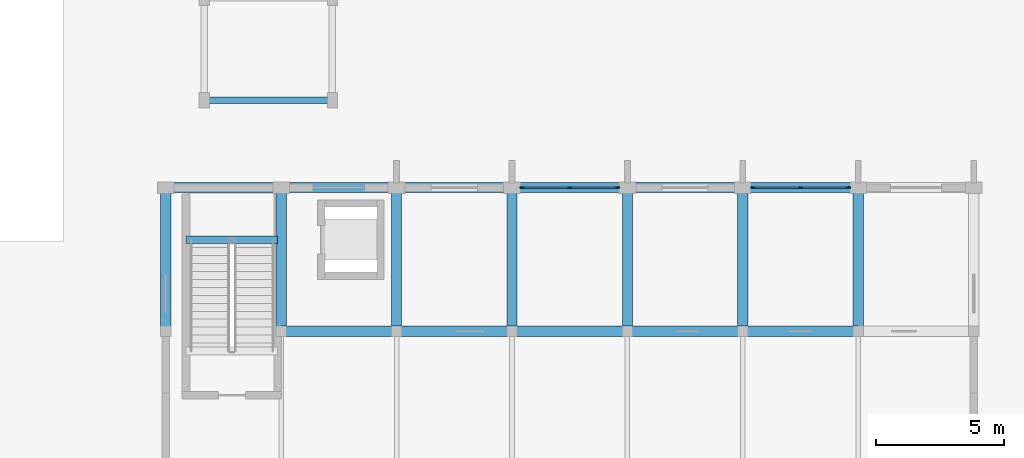
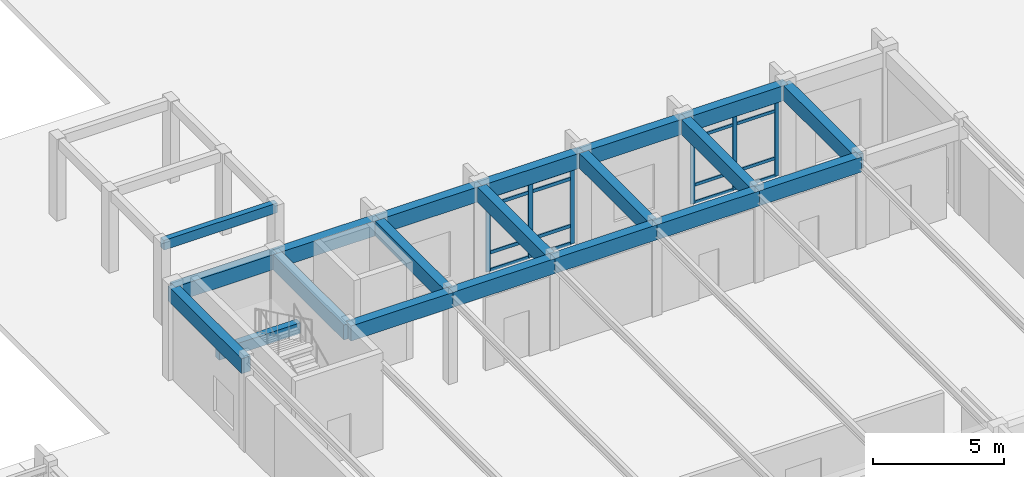
# One storey, part 14 of 61: 22 members, 20 beams, 2 elements without a shape of their own.
"""IFC4 building model written with IfcOpenShell, lengths in metres."""

from ifc_helpers import new_model, si_unit, direction, frame, origin, origin_2d, place, context, subcontext, project, spatial, rectangle, extrude, material, material_profile, profile_set, type_object, element, aggregate, save


model = new_model("IFC4")

# Units and contexts
model_context = context("Model", 3, precision=1e-05, world=origin(), true_north=direction((0.0, 1.0)))
body_context = subcontext(model_context, "Body", "Model", "MODEL_VIEW")
ifc_project = project(units=[si_unit("LENGTHUNIT", "METRE"), si_unit("AREAUNIT", "SQUARE_METRE"), si_unit("VOLUMEUNIT", "CUBIC_METRE"), si_unit("PLANEANGLEUNIT", "RADIAN"), si_unit("MASSUNIT", "GRAM", prefix="KILO")], contexts=[model_context])

# Site, building, storey
site_placement = place(None, origin())
site = spatial("IfcSite", under=ifc_project, at=site_placement, CompositionType="ELEMENT")
building_placement = place(site_placement, origin())
building = spatial("IfcBuilding", under=site, at=building_placement, Name="Zimvara Arc Housing Community", CompositionType="ELEMENT")
storey_placement = place(building_placement, origin())
storey = spatial("IfcBuildingStorey", under=building, at=storey_placement, Name="L00", CompositionType="ELEMENT", Elevation=0.0)

# Beams
ifc_material_1 = material(Name="Concrete C40/50", Category="concrete")
ifc_material_profile_1 = material_profile(ifc_material_1, rectangle(XDim=0.300048828125, YDim=0.5, at=origin_2d()), Name="RC 300x500")
ifc_profile_set_1 = profile_set([ifc_material_profile_1], Name="Concrete C40/50")
beam_type_1 = type_object("IfcBeamType", Name="BM-RC-300x500", PredefinedType="BEAM", material=ifc_profile_set_1)
beam_1_placement = place(storey_placement, frame((72.364990234375, 25.570068359375, 2.0), z_axis=(-1.0, 0.0, 0.0), x_axis=(0.0, -1.0, 0.0)))
element("IfcBeam", 1, at=beam_1_placement, inside=storey, type_object=beam_type_1, Name="bm:stair_trim:ST-H1:L00:mid", PredefinedType="BEAM", context=body_context, shape_type="SweptSolid", body=[
    extrude(rectangle(XDim=0.300048828125, YDim=0.5, at=origin_2d()), origin(), (0.0, 0.0, 1.0), 3.570068359375),
])
ifc_material_2 = material(Name="Concrete C40/50", Category="concrete")
ifc_material_profile_2 = material_profile(ifc_material_2, rectangle(XDim=0.39990234375, YDim=0.699951171875, at=origin_2d()), Name="RC 400x700")
ifc_profile_set_2 = profile_set([ifc_material_profile_2], Name="Concrete C40/50")
beam_type_2 = type_object("IfcBeamType", Name="BM-RC-400x700", PredefinedType="BEAM", material=ifc_profile_set_2)
for number, where, z_axis, x_axis, name in (
    (2, (68.0, 27.60009765625, 3.889892578125), (1.0, 0.0, 0.0), (0.0, 1.0, 0.0), "bm:hall:L00:long:y2:b0"),
    (3, (72.5, 22.0, 3.889892578125), (1.0, 0.0, 0.0), (0.0, 1.0, 0.0), "bm:hall:L00:long:y1:b1"),
    (4, (72.5, 27.60009765625, 3.889892578125), (1.0, 0.0, 0.0), (0.0, 1.0, 0.0), "bm:hall:L00:long:y2:b1"),
    (5, (77.0, 22.0, 3.889892578125), (1.0, 0.0, 0.0), (0.0, 1.0, 0.0), "bm:hall:L00:long:y1:b2"),
    (6, (77.0, 27.60009765625, 3.889892578125), (1.0, 0.0, 0.0), (0.0, 1.0, 0.0), "bm:hall:L00:long:y2:b2"),
    (7, (81.5, 22.0, 3.889892578125), (1.0, 0.0, 0.0), (0.0, 1.0, 0.0), "bm:hall:L00:long:y1:b3"),
    (8, (81.5, 27.60009765625, 3.889892578125), (1.0, 0.0, 0.0), (0.0, 1.0, 0.0), "bm:hall:L00:long:y2:b3"),
    (9, (86.0, 22.0, 3.889892578125), (1.0, 0.0, 0.0), (0.0, 1.0, 0.0), "bm:hall:L00:long:y1:b4"),
    (10, (86.0, 27.60009765625, 3.889892578125), (1.0, 0.0, 0.0), (0.0, 1.0, 0.0), "bm:hall:L00:long:y2:b4"),
    (11, (90.5, 22.0, 3.889892578125), (1.0, 0.0, 0.0), (0.0, 1.0, 0.0), "bm:hall:L00:long:y1:b5"),
    (12, (90.5, 27.60009765625, 3.889892578125), (1.0, 0.0, 0.0), (0.0, 1.0, 0.0), "bm:hall:L00:long:y2:b5"),
):
    element("IfcBeam", number, at=place(storey_placement, frame(where, z_axis=z_axis, x_axis=x_axis)), inside=storey, type_object=beam_type_2, Name=name, PredefinedType="BEAM", context=body_context, shape_type="SweptSolid", body=[
        extrude(rectangle(XDim=0.39990234375, YDim=0.699951171875, at=origin_2d()), origin(), (0.0, 0.0, 1.0), 4.5),
    ])
for number, where, z_axis, x_axis, name in (
    (13, (68.0, 22.0, 3.889892578125), (0.0, 1.0, 0.0), (-1.0, 0.0, 0.0), "bm:hall:L00:trans2:x0"),
    (14, (72.5, 22.0, 3.889892578125), (0.0, 1.0, 0.0), (-1.0, 0.0, 0.0), "bm:hall:L00:trans2:x1"),
    (15, (77.0, 22.0, 3.889892578125), (0.0, 1.0, 0.0), (-1.0, 0.0, 0.0), "bm:hall:L00:trans2:x2"),
    (16, (81.5, 22.0, 3.889892578125), (0.0, 1.0, 0.0), (-1.0, 0.0, 0.0), "bm:hall:L00:trans2:x3"),
    (17, (86.0, 22.0, 3.889892578125), (0.0, 1.0, 0.0), (-1.0, 0.0, 0.0), "bm:hall:L00:trans2:x4"),
    (18, (90.5, 22.0, 3.889892578125), (0.0, 1.0, 0.0), (-1.0, 0.0, 0.0), "bm:hall:L00:trans2:x5"),
    (19, (95.0, 22.0, 3.889892578125), (0.0, 1.0, 0.0), (-1.0, 0.0, 0.0), "bm:hall:L00:trans2:x6"),
):
    element("IfcBeam", number, at=place(storey_placement, frame(where, z_axis=z_axis, x_axis=x_axis)), inside=storey, type_object=beam_type_2, Name=name, PredefinedType="BEAM", context=body_context, shape_type="SweptSolid", body=[
        extrude(rectangle(XDim=0.39990234375, YDim=0.699951171875, at=origin_2d()), origin(), (0.0, 0.0, 1.0), 5.60009765625),
    ])
ifc_material_3 = material(Name="Concrete C40/50", Category="concrete")
ifc_material_profile_3 = material_profile(ifc_material_3, rectangle(XDim=0.25, YDim=0.449951171875, at=origin_2d()), Name="RC 250x450")
ifc_profile_set_3 = profile_set([ifc_material_profile_3], Name="Concrete C40/50")
beam_type_3 = type_object("IfcBeamType", Name="BM-RC-LIN-250x450", PredefinedType="LINTEL", material=ifc_profile_set_3)
beam_2_placement = place(storey_placement, frame((69.5, 31.0, 3.550048828125), z_axis=(1.0, 0.0, 0.0), x_axis=(0.0, 1.0, 0.0)))
element("IfcBeam", 20, at=beam_2_placement, inside=storey, type_object=beam_type_3, Name="bm:lintel:L00:1", PredefinedType="LINTEL", context=body_context, shape_type="SweptSolid", body=[
    extrude(rectangle(XDim=0.25, YDim=0.449951171875, at=origin_2d()), origin(), (0.0, 0.0, 1.0), 5.0),
])

# Curtain wall, members
ifc_material_4 = material(Name="Anodised Aluminium AW-6063", Category="aluminium")
curtain_wall_type_1 = type_object("IfcCurtainWallType", Name="CW-SYS-02", PredefinedType="USERDEFINED", material=ifc_material_4)
curtain_wall_1_placement = place(storey_placement, origin())
curtain_wall_1 = element("IfcCurtainWall", 21, at=curtain_wall_1_placement, inside=storey, type_object=curtain_wall_type_1, Name="cw:hall:L00:north:b5", ObjectType="CURTAIN WALL", PredefinedType="USERDEFINED")
ifc_material_5 = material(Name="Anodised Aluminium AW-6063", Category="aluminium")
ifc_material_profile_4 = material_profile(ifc_material_5, rectangle(XDim=0.06494140625, YDim=0.179931640625, at=origin_2d()), Name="ALU 65x180")
ifc_profile_set_4 = profile_set([ifc_material_profile_4], Name="Anodised Aluminium AW-6063")
member_type_1 = type_object("IfcMemberType", Name="CWM-65x150", PredefinedType="MULLION", material=ifc_profile_set_4)
member_1_placement = place(storey_placement, frame((90.892578125, 27.60009765625, 0.0), z_axis=(0.0, 0.0, 1.0), x_axis=(0.0, 1.0, 0.0)))
member_1 = element("IfcMember", 22, at=member_1_placement, type_object=member_type_1, Name="CW02 mullion 1", PredefinedType="MULLION", context=body_context, shape_type="SweptSolid", body=[
    extrude(rectangle(XDim=0.06494140625, YDim=0.179931640625, at=origin_2d()), origin(), (0.0, 0.0, 1.0), 3.5),
])
member_2_placement = place(storey_placement, frame((92.75, 27.60009765625, 0.0), z_axis=(0.0, 0.0, 1.0), x_axis=(0.0, 1.0, 0.0)))
member_2 = element("IfcMember", 23, at=member_2_placement, type_object=member_type_1, Name="CW02 mullion 2", PredefinedType="MULLION", context=body_context, shape_type="SweptSolid", body=[
    extrude(rectangle(XDim=0.06494140625, YDim=0.179931640625, at=origin_2d()), origin(), (0.0, 0.0, 1.0), 3.5),
])
member_3_placement = place(storey_placement, frame((94.607421875, 27.60009765625, 0.0), z_axis=(0.0, 0.0, 1.0), x_axis=(0.0, 1.0, 0.0)))
member_3 = element("IfcMember", 24, at=member_3_placement, type_object=member_type_1, Name="CW02 mullion 3", PredefinedType="MULLION", context=body_context, shape_type="SweptSolid", body=[
    extrude(rectangle(XDim=0.06494140625, YDim=0.179931640625, at=origin_2d()), origin(), (0.0, 0.0, 1.0), 3.5),
])

ifc_material_6 = material(Name="Anodised Aluminium AW-6063", Category="aluminium")
curtain_wall_type_2 = type_object("IfcCurtainWallType", Name="CW-SYS-01", PredefinedType="USERDEFINED", material=ifc_material_6)
curtain_wall_2_placement = place(storey_placement, origin())
curtain_wall_2 = element("IfcCurtainWall", 25, at=curtain_wall_2_placement, inside=storey, type_object=curtain_wall_type_2, Name="cw:hall:L00:north:b3", ObjectType="CURTAIN WALL", PredefinedType="USERDEFINED")
ifc_material_7 = material(Name="Anodised Aluminium AW-6063", Category="aluminium")
ifc_material_profile_5 = material_profile(ifc_material_7, rectangle(XDim=0.06494140625, YDim=0.195068359375, at=origin_2d()), Name="ALU 65x195")
ifc_profile_set_5 = profile_set([ifc_material_profile_5], Name="Anodised Aluminium AW-6063")
member_type_2 = type_object("IfcMemberType", Name="CWM-65x180", PredefinedType="MULLION", material=ifc_profile_set_5)
member_4_placement = place(storey_placement, frame((81.892578125, 27.60009765625, 0.0), z_axis=(0.0, 0.0, 1.0), x_axis=(0.0, 1.0, 0.0)))
member_4 = element("IfcMember", 26, at=member_4_placement, type_object=member_type_2, Name="CW01 mullion 1", PredefinedType="MULLION", context=body_context, shape_type="SweptSolid", body=[
    extrude(rectangle(XDim=0.06494140625, YDim=0.195068359375, at=origin_2d()), origin(), (0.0, 0.0, 1.0), 3.5),
])
member_5_placement = place(storey_placement, frame((83.75, 27.60009765625, 0.0), z_axis=(0.0, 0.0, 1.0), x_axis=(0.0, 1.0, 0.0)))
member_5 = element("IfcMember", 27, at=member_5_placement, type_object=member_type_2, Name="CW01 mullion 2", PredefinedType="MULLION", context=body_context, shape_type="SweptSolid", body=[
    extrude(rectangle(XDim=0.06494140625, YDim=0.195068359375, at=origin_2d()), origin(), (0.0, 0.0, 1.0), 3.5),
])
member_6_placement = place(storey_placement, frame((85.607421875, 27.60009765625, 0.0), z_axis=(0.0, 0.0, 1.0), x_axis=(0.0, 1.0, 0.0)))
member_6 = element("IfcMember", 28, at=member_6_placement, type_object=member_type_2, Name="CW01 mullion 3", PredefinedType="MULLION", context=body_context, shape_type="SweptSolid", body=[
    extrude(rectangle(XDim=0.06494140625, YDim=0.195068359375, at=origin_2d()), origin(), (0.0, 0.0, 1.0), 3.5),
])

# Member
ifc_material_8 = material(Name="Anodised Aluminium AW-6063", Category="aluminium")
ifc_material_profile_6 = material_profile(ifc_material_8, rectangle(XDim=0.06494140625, YDim=0.139892578125, at=origin_2d()), Name="ALU 65x140")
ifc_profile_set_6 = profile_set([ifc_material_profile_6], Name="Anodised Aluminium AW-6063")
member_type_3 = type_object("IfcMemberType", Name="CWT-65x120", PredefinedType="USERDEFINED", material=ifc_profile_set_6)
member_7_placement = place(storey_placement, frame((90.925048828125, 27.60009765625, 0.032470703125), z_axis=(1.0, 0.0, 0.0), x_axis=(0.0, 1.0, 0.0)))
member_7 = element("IfcMember", 29, at=member_7_placement, type_object=member_type_3, Name="CW02 transom 1.1", ObjectType="TRANSOM", PredefinedType="USERDEFINED", context=body_context, shape_type="SweptSolid", body=[
    extrude(rectangle(XDim=0.06494140625, YDim=0.139892578125, at=origin_2d()), origin(), (0.0, 0.0, 1.0), 1.79248046875),
])

member_8_placement = place(storey_placement, frame((90.925048828125, 27.60009765625, 0.85009765625), z_axis=(1.0, 0.0, 0.0), x_axis=(0.0, 1.0, 0.0)))
member_8 = element("IfcMember", 30, at=member_8_placement, type_object=member_type_3, Name="CW02 transom 1.2", ObjectType="TRANSOM", PredefinedType="USERDEFINED", context=body_context, shape_type="SweptSolid", body=[
    extrude(rectangle(XDim=0.06494140625, YDim=0.139892578125, at=origin_2d()), origin(), (0.0, 0.0, 1.0), 1.79248046875),
])

member_9_placement = place(storey_placement, frame((90.925048828125, 27.60009765625, 3.050048828125), z_axis=(1.0, 0.0, 0.0), x_axis=(0.0, 1.0, 0.0)))
member_9 = element("IfcMember", 31, at=member_9_placement, type_object=member_type_3, Name="CW02 transom 1.3", ObjectType="TRANSOM", PredefinedType="USERDEFINED", context=body_context, shape_type="SweptSolid", body=[
    extrude(rectangle(XDim=0.06494140625, YDim=0.139892578125, at=origin_2d()), origin(), (0.0, 0.0, 1.0), 1.79248046875),
])

member_10_placement = place(storey_placement, frame((90.925048828125, 27.60009765625, 3.467529296875), z_axis=(1.0, 0.0, 0.0), x_axis=(0.0, 1.0, 0.0)))
member_10 = element("IfcMember", 32, at=member_10_placement, type_object=member_type_3, Name="CW02 transom 1.4", ObjectType="TRANSOM", PredefinedType="USERDEFINED", context=body_context, shape_type="SweptSolid", body=[
    extrude(rectangle(XDim=0.06494140625, YDim=0.139892578125, at=origin_2d()), origin(), (0.0, 0.0, 1.0), 1.79248046875),
])

member_11_placement = place(storey_placement, frame((92.782470703125, 27.60009765625, 0.032470703125), z_axis=(1.0, 0.0, 0.0), x_axis=(0.0, 1.0, 0.0)))
member_11 = element("IfcMember", 33, at=member_11_placement, type_object=member_type_3, Name="CW02 transom 2.1", ObjectType="TRANSOM", PredefinedType="USERDEFINED", context=body_context, shape_type="SweptSolid", body=[
    extrude(rectangle(XDim=0.06494140625, YDim=0.139892578125, at=origin_2d()), origin(), (0.0, 0.0, 1.0), 1.79248046875),
])

member_12_placement = place(storey_placement, frame((92.782470703125, 27.60009765625, 0.85009765625), z_axis=(1.0, 0.0, 0.0), x_axis=(0.0, 1.0, 0.0)))
member_12 = element("IfcMember", 34, at=member_12_placement, type_object=member_type_3, Name="CW02 transom 2.2", ObjectType="TRANSOM", PredefinedType="USERDEFINED", context=body_context, shape_type="SweptSolid", body=[
    extrude(rectangle(XDim=0.06494140625, YDim=0.139892578125, at=origin_2d()), origin(), (0.0, 0.0, 1.0), 1.79248046875),
])

member_13_placement = place(storey_placement, frame((92.782470703125, 27.60009765625, 3.050048828125), z_axis=(1.0, 0.0, 0.0), x_axis=(0.0, 1.0, 0.0)))
member_13 = element("IfcMember", 35, at=member_13_placement, type_object=member_type_3, Name="CW02 transom 2.3", ObjectType="TRANSOM", PredefinedType="USERDEFINED", context=body_context, shape_type="SweptSolid", body=[
    extrude(rectangle(XDim=0.06494140625, YDim=0.139892578125, at=origin_2d()), origin(), (0.0, 0.0, 1.0), 1.79248046875),
])

member_14_placement = place(storey_placement, frame((92.782470703125, 27.60009765625, 3.467529296875), z_axis=(1.0, 0.0, 0.0), x_axis=(0.0, 1.0, 0.0)))
member_14 = element("IfcMember", 36, at=member_14_placement, type_object=member_type_3, Name="CW02 transom 2.4", ObjectType="TRANSOM", PredefinedType="USERDEFINED", context=body_context, shape_type="SweptSolid", body=[
    extrude(rectangle(XDim=0.06494140625, YDim=0.139892578125, at=origin_2d()), origin(), (0.0, 0.0, 1.0), 1.79248046875),
])

aggregate(curtain_wall_1, [member_1, member_2, member_3, member_7, member_8, member_9, member_10, member_11, member_12, member_13, member_14])

ifc_material_9 = material(Name="Anodised Aluminium AW-6063", Category="aluminium")
ifc_material_profile_7 = material_profile(ifc_material_9, rectangle(XDim=0.06494140625, YDim=0.155029296875, at=origin_2d()), Name="ALU 65x155")
ifc_profile_set_7 = profile_set([ifc_material_profile_7], Name="Anodised Aluminium AW-6063")
member_type_4 = type_object("IfcMemberType", Name="CWT-65x140", PredefinedType="USERDEFINED", material=ifc_profile_set_7)
member_15_placement = place(storey_placement, frame((81.925048828125, 27.60009765625, 0.032470703125), z_axis=(1.0, 0.0, 0.0), x_axis=(0.0, 1.0, 0.0)))
member_15 = element("IfcMember", 37, at=member_15_placement, type_object=member_type_4, Name="CW01 transom 1.1", ObjectType="TRANSOM", PredefinedType="USERDEFINED", context=body_context, shape_type="SweptSolid", body=[
    extrude(rectangle(XDim=0.06494140625, YDim=0.155029296875, at=origin_2d()), origin(), (0.0, 0.0, 1.0), 1.79248046875),
])

member_16_placement = place(storey_placement, frame((81.925048828125, 27.60009765625, 0.85009765625), z_axis=(1.0, 0.0, 0.0), x_axis=(0.0, 1.0, 0.0)))
member_16 = element("IfcMember", 38, at=member_16_placement, type_object=member_type_4, Name="CW01 transom 1.2", ObjectType="TRANSOM", PredefinedType="USERDEFINED", context=body_context, shape_type="SweptSolid", body=[
    extrude(rectangle(XDim=0.06494140625, YDim=0.155029296875, at=origin_2d()), origin(), (0.0, 0.0, 1.0), 1.79248046875),
])

member_17_placement = place(storey_placement, frame((81.925048828125, 27.60009765625, 3.050048828125), z_axis=(1.0, 0.0, 0.0), x_axis=(0.0, 1.0, 0.0)))
member_17 = element("IfcMember", 39, at=member_17_placement, type_object=member_type_4, Name="CW01 transom 1.3", ObjectType="TRANSOM", PredefinedType="USERDEFINED", context=body_context, shape_type="SweptSolid", body=[
    extrude(rectangle(XDim=0.06494140625, YDim=0.155029296875, at=origin_2d()), origin(), (0.0, 0.0, 1.0), 1.79248046875),
])

member_18_placement = place(storey_placement, frame((81.925048828125, 27.60009765625, 3.467529296875), z_axis=(1.0, 0.0, 0.0), x_axis=(0.0, 1.0, 0.0)))
member_18 = element("IfcMember", 40, at=member_18_placement, type_object=member_type_4, Name="CW01 transom 1.4", ObjectType="TRANSOM", PredefinedType="USERDEFINED", context=body_context, shape_type="SweptSolid", body=[
    extrude(rectangle(XDim=0.06494140625, YDim=0.155029296875, at=origin_2d()), origin(), (0.0, 0.0, 1.0), 1.79248046875),
])

member_19_placement = place(storey_placement, frame((83.782470703125, 27.60009765625, 0.032470703125), z_axis=(1.0, 0.0, 0.0), x_axis=(0.0, 1.0, 0.0)))
member_19 = element("IfcMember", 41, at=member_19_placement, type_object=member_type_4, Name="CW01 transom 2.1", ObjectType="TRANSOM", PredefinedType="USERDEFINED", context=body_context, shape_type="SweptSolid", body=[
    extrude(rectangle(XDim=0.06494140625, YDim=0.155029296875, at=origin_2d()), origin(), (0.0, 0.0, 1.0), 1.79248046875),
])

member_20_placement = place(storey_placement, frame((83.782470703125, 27.60009765625, 0.85009765625), z_axis=(1.0, 0.0, 0.0), x_axis=(0.0, 1.0, 0.0)))
member_20 = element("IfcMember", 42, at=member_20_placement, type_object=member_type_4, Name="CW01 transom 2.2", ObjectType="TRANSOM", PredefinedType="USERDEFINED", context=body_context, shape_type="SweptSolid", body=[
    extrude(rectangle(XDim=0.06494140625, YDim=0.155029296875, at=origin_2d()), origin(), (0.0, 0.0, 1.0), 1.79248046875),
])

member_21_placement = place(storey_placement, frame((83.782470703125, 27.60009765625, 3.050048828125), z_axis=(1.0, 0.0, 0.0), x_axis=(0.0, 1.0, 0.0)))
member_21 = element("IfcMember", 43, at=member_21_placement, type_object=member_type_4, Name="CW01 transom 2.3", ObjectType="TRANSOM", PredefinedType="USERDEFINED", context=body_context, shape_type="SweptSolid", body=[
    extrude(rectangle(XDim=0.06494140625, YDim=0.155029296875, at=origin_2d()), origin(), (0.0, 0.0, 1.0), 1.79248046875),
])

member_22_placement = place(storey_placement, frame((83.782470703125, 27.60009765625, 3.467529296875), z_axis=(1.0, 0.0, 0.0), x_axis=(0.0, 1.0, 0.0)))
member_22 = element("IfcMember", 44, at=member_22_placement, type_object=member_type_4, Name="CW01 transom 2.4", ObjectType="TRANSOM", PredefinedType="USERDEFINED", context=body_context, shape_type="SweptSolid", body=[
    extrude(rectangle(XDim=0.06494140625, YDim=0.155029296875, at=origin_2d()), origin(), (0.0, 0.0, 1.0), 1.79248046875),
])

aggregate(curtain_wall_2, [member_4, member_5, member_6, member_15, member_16, member_17, member_18, member_19, member_20, member_21, member_22])

save(model, "model.ifc")
